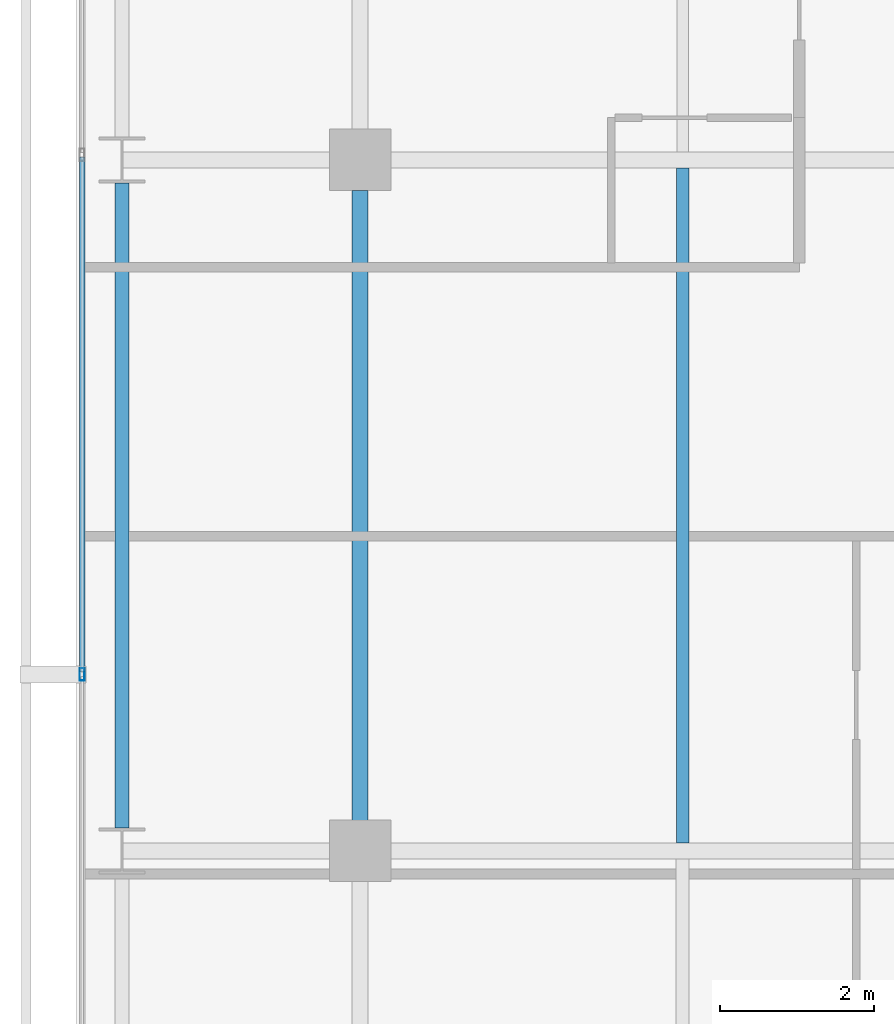
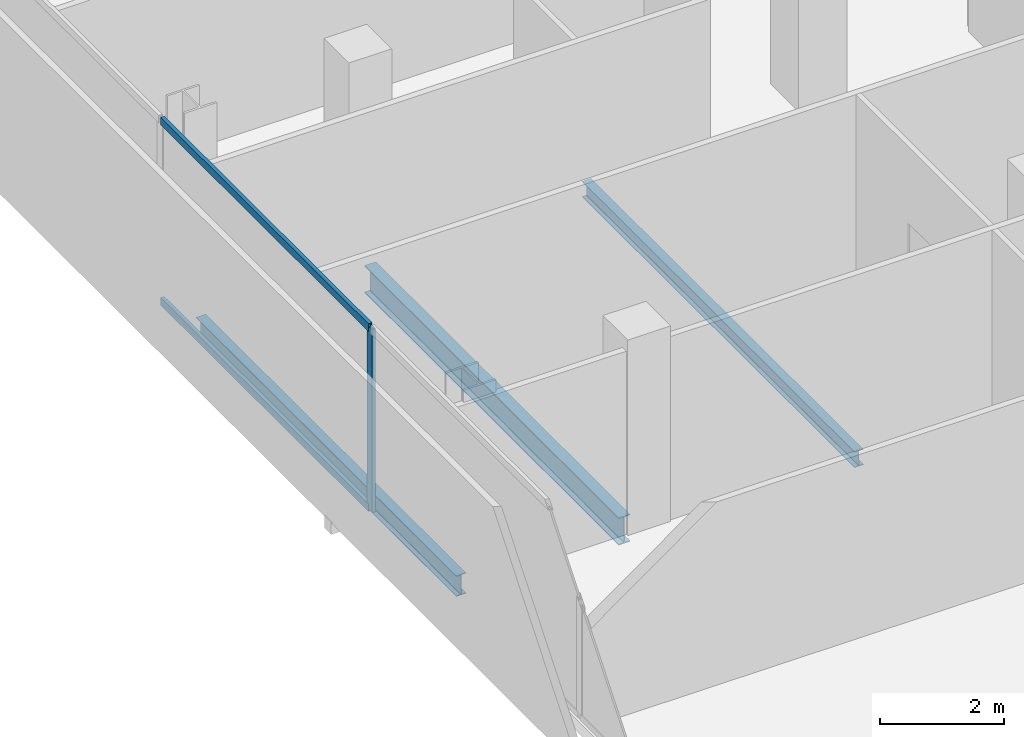
# One storey, part 10 of 34: 3 beams, 3 members, 1 element without a shape of its own.
"""IFC4 building model written with IfcOpenShell, lengths in metres."""

from ifc_helpers import new_model, si_unit, direction, frame, origin, origin_2d, place, context, subcontext, project, spatial, hollow_rectangle, i_section, extrude, material, layer, layer_set, material_profile, profile_set, type_object, element, aggregate, save


model = new_model("IFC4")

# Units and contexts
model_context = context("Model", 3, precision=1e-05, world=origin(), true_north=direction((0.0, 1.0)))
body_context = subcontext(model_context, "Body", "Model", "MODEL_VIEW")
ifc_project = project(units=[si_unit("LENGTHUNIT", "METRE"), si_unit("AREAUNIT", "SQUARE_METRE"), si_unit("VOLUMEUNIT", "CUBIC_METRE"), si_unit("PLANEANGLEUNIT", "RADIAN"), si_unit("MASSUNIT", "GRAM", prefix="KILO")], contexts=[model_context])

# Site, building, storey
site_placement = place(None, origin())
site = spatial("IfcSite", under=ifc_project, at=site_placement, CompositionType="ELEMENT")
building_placement = place(site_placement, origin())
building = spatial("IfcBuilding", under=site, at=building_placement, Name="Maruvema Waterfront Hotel and Observation Tower", CompositionType="ELEMENT")
storey_placement = place(building_placement, frame((0.0, 0.0, 212.10009765625)))
storey = spatial("IfcBuildingStorey", under=building, at=storey_placement, Name="L52", CompositionType="ELEMENT", Elevation=212.10009765625)

# Curtain wall, members
ifc_material_1 = material(Name="Anodised bronze aluminium and solar-control low-E IGU", Category="aluminium")
ifc_layer = layer(ifc_material_1, 0.159912109375, Name="Zone 2 Amber Inner Thermal Curtain Wall System CW-03")
ifc_layer_set = layer_set([ifc_layer], Name="Anodised bronze aluminium and solar-control low-E IGU")
curtain_wall_type = type_object("IfcCurtainWallType", Name="Zone 2 Amber Inner Thermal Curtain Wall System CW-03", PredefinedType="USERDEFINED", material=ifc_layer_set)
curtain_wall_placement = place(storey_placement, origin())
curtain_wall = element("IfcCurtainWall", 1, at=curtain_wall_placement, inside=storey, type_object=curtain_wall_type, Name="L52 Curtain Wall CW-L52-W", ObjectType="UNITISED CURTAIN WALL", PredefinedType="USERDEFINED")
ifc_material_2 = material(Name="Anodised architectural bronze aluminium", Category="aluminium")
ifc_material_profile_1 = material_profile(ifc_material_2, hollow_rectangle(XDim=0.070068359375, YDim=0.14990234375, WallThickness=0.00390625, at=origin_2d()), Name="ALU-T70x150")
ifc_profile_set_1 = profile_set([ifc_material_profile_1], Name="Anodised architectural bronze aluminium")
member_type_1 = type_object("IfcMemberType", Name="Curtain Wall Horizontal Transom ALU-T70x150", PredefinedType="USERDEFINED", material=ifc_profile_set_1)
member_1_placement = place(storey_placement, frame((13.179931640625, 36.03662109375, 0.02978515625), z_axis=(0.0, -1.0, 0.0), x_axis=(1.0, 0.0, 0.0)))
member_1 = element("IfcMember", 2, at=member_1_placement, type_object=member_type_1, Name="CW-03 transom 3.1", ObjectType="TRANSOM", PredefinedType="USERDEFINED", context=body_context, shape_type="SweptSolid", body=[
    extrude(hollow_rectangle(XDim=0.070068359375, YDim=0.14990234375, WallThickness=0.00390625, at=origin_2d()), origin(), (0.0, 0.0, 1.0), 6.70654296875),
])
member_2_placement = place(storey_placement, frame((13.179931640625, 36.03662109375, 3.579833984375), z_axis=(0.0, -1.0, 0.0), x_axis=(1.0, 0.0, 0.0)))
member_2 = element("IfcMember", 3, at=member_2_placement, type_object=member_type_1, Name="CW-03 transom 3.2", ObjectType="TRANSOM", PredefinedType="USERDEFINED", context=body_context, shape_type="SweptSolid", body=[
    extrude(hollow_rectangle(XDim=0.070068359375, YDim=0.14990234375, WallThickness=0.00390625, at=origin_2d()), origin(), (0.0, 0.0, 1.0), 6.70654296875),
])
ifc_material_3 = material(Name="Anodised architectural bronze aluminium", Category="aluminium")
ifc_material_profile_2 = material_profile(ifc_material_3, hollow_rectangle(XDim=0.06494140625, YDim=0.1650390625, WallThickness=0.00390625, at=origin_2d()), Name="ALU-M65x165")
ifc_profile_set_2 = profile_set([ifc_material_profile_2], Name="Anodised architectural bronze aluminium")
member_type_2 = type_object("IfcMemberType", Name="Curtain Wall Primary Mullion ALU-M65x165", PredefinedType="MULLION", material=ifc_profile_set_2)
member_3_placement = place(storey_placement, frame((13.179931640625, 29.300048828125, 0.0), z_axis=(0.0, 0.0, 1.0), x_axis=(1.0, 0.0, 0.0)))
member_3 = element("IfcMember", 4, at=member_3_placement, type_object=member_type_2, Name="CW-03 mullion 4", PredefinedType="MULLION", context=body_context, shape_type="SweptSolid", body=[
    extrude(hollow_rectangle(XDim=0.06494140625, YDim=0.1650390625, WallThickness=0.00390625, at=origin_2d()), origin(), (0.0, 0.0, 1.0), 3.60986328125),
])
aggregate(curtain_wall, [member_3, member_1, member_2])

# Beams
ifc_material_4 = material(Name="Steel ASTM A572 Grade 50", Category="steel")
ifc_material_profile_3 = material_profile(ifc_material_4, i_section(OverallWidth=0.178955078125, OverallDepth=0.409912109375, WebThickness=0.0087890625, FlangeThickness=0.014404296875, FilletRadius=0.014892578125, at=origin_2d()), Name="W410x67.0")
ifc_profile_set_3 = profile_set([ifc_material_profile_3], Name="Steel ASTM A572 Grade 50")
beam_type_1 = type_object("IfcBeamType", Name="Perimeter Spandrel Beam W410x67.0", PredefinedType="SPANDREL", material=ifc_profile_set_3)
beam_1_placement = place(storey_placement, frame((13.699951171875, 27.300048828125, -0.445068359375), z_axis=(0.0, 1.0, 0.0), x_axis=(-1.0, 0.0, 0.0)))
element("IfcBeam", 5, at=beam_1_placement, inside=storey, type_object=beam_type_1, Name="L52 Floor Girder NS-03", PredefinedType="SPANDREL", context=body_context, shape_type="SweptSolid", body=[
    extrude(i_section(OverallWidth=0.178955078125, OverallDepth=0.409912109375, WebThickness=0.0087890625, FlangeThickness=0.014404296875, FilletRadius=0.014892578125, at=origin_2d()), origin(), (0.0, 0.0, 1.0), 8.39990234375),
])
ifc_material_5 = material(Name="Steel ASTM A572 Grade 50", Category="steel")
ifc_material_profile_4 = material_profile(ifc_material_5, i_section(OverallWidth=0.2109375, OverallDepth=0.5390625, WebThickness=0.01171875, FlangeThickness=0.018798828125, FilletRadius=0.014892578125, at=origin_2d()), Name="W530x109.0")
ifc_profile_set_4 = profile_set([ifc_material_profile_4], Name="Steel ASTM A572 Grade 50")
beam_type_2 = type_object("IfcBeamType", Name="Primary Floor Girder W530x109.0", PredefinedType="BEAM", material=ifc_profile_set_4)
beam_2_placement = place(storey_placement, frame((16.800048828125, 27.39990234375, -0.509521484375), z_axis=(0.0, 1.0, 0.0), x_axis=(-1.0, 0.0, 0.0)))
element("IfcBeam", 6, at=beam_2_placement, inside=storey, type_object=beam_type_2, Name="L52 Floor Girder NS-07", PredefinedType="BEAM", context=body_context, shape_type="SweptSolid", body=[
    extrude(i_section(OverallWidth=0.2109375, OverallDepth=0.5390625, WebThickness=0.01171875, FlangeThickness=0.018798828125, FilletRadius=0.014892578125, at=origin_2d()), origin(), (0.0, 0.0, 1.0), 8.2001953125),
])
ifc_material_6 = material(Name="Steel ASTM A572 Grade 50", Category="steel")
ifc_material_profile_5 = material_profile(ifc_material_6, i_section(OverallWidth=0.1650390625, OverallDepth=0.31005859375, WebThickness=0.005859375, FlangeThickness=0.009765625, FilletRadius=0.012939453125, at=origin_2d()), Name="W310x38.7")
ifc_profile_set_5 = profile_set([ifc_material_profile_5], Name="Steel ASTM A572 Grade 50")
beam_type_3 = type_object("IfcBeamType", Name="Secondary Floor Joist W310x38.7", PredefinedType="JOIST", material=ifc_profile_set_5)
beam_3_placement = place(storey_placement, frame((21.0, 27.10546875, -0.39501953125), z_axis=(0.0, 1.0, 0.0), x_axis=(-1.0, 0.0, 0.0)))
element("IfcBeam", 7, at=beam_3_placement, inside=storey, type_object=beam_type_3, Name="L52 Secondary Floor Joist JS-03", PredefinedType="JOIST", context=body_context, shape_type="SweptSolid", body=[
    extrude(i_section(OverallWidth=0.1650390625, OverallDepth=0.31005859375, WebThickness=0.005859375, FlangeThickness=0.009765625, FilletRadius=0.012939453125, at=origin_2d()), origin(), (0.0, 0.0, 1.0), 8.7890625),
])

save(model, "model.ifc")
